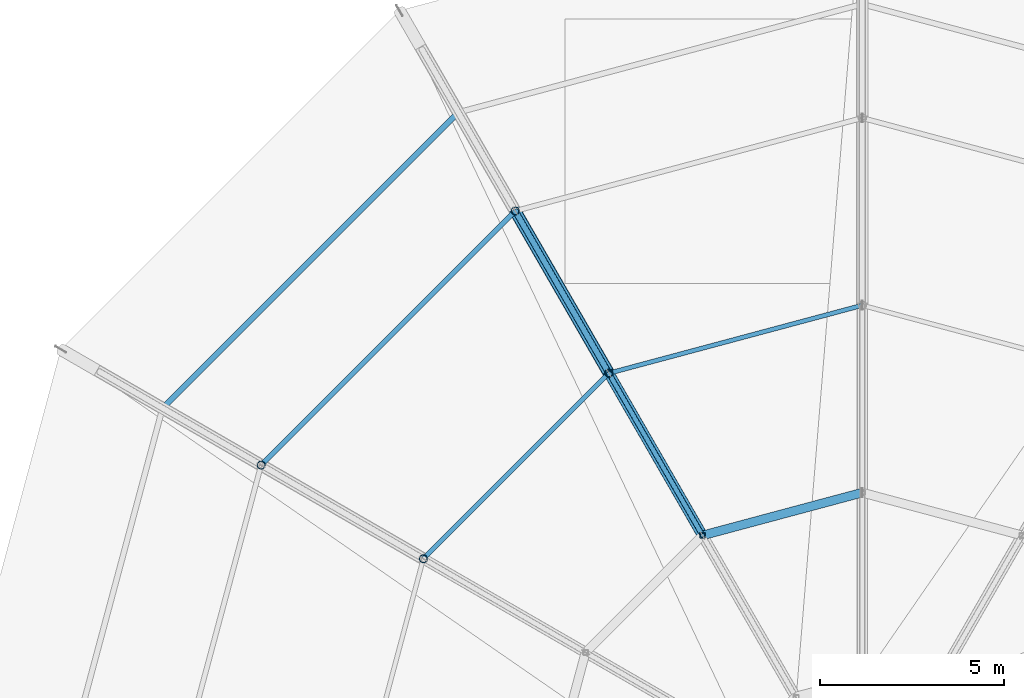
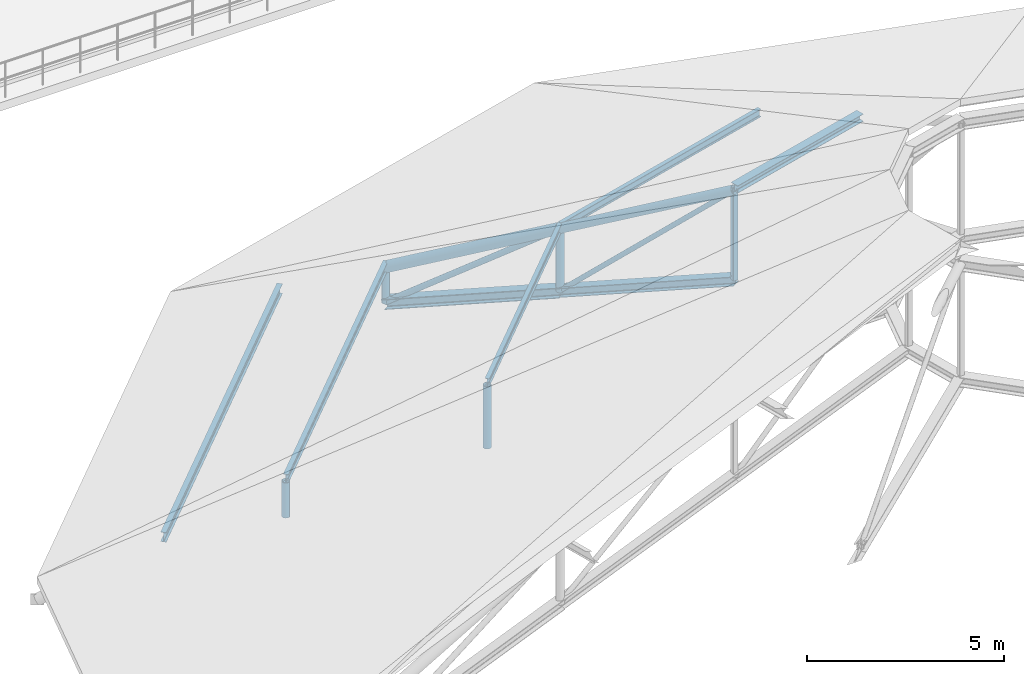
# One storey, part 23 of 58: 16 members.
"""IFC4 building model written with IfcOpenShell, lengths in metres."""

from ifc_helpers import new_model, si_unit, derived_unit, direction, frame, origin, origin_2d, place, context, subcontext, project, spatial, hollow_rectangle, hollow_circle, i_section, extrude, material, material_profile, profile_set, type_object, element, save


model = new_model("IFC4")

# Units and contexts
model_context = context("Model", 3, precision=1e-05, world=origin(), true_north=direction((0.0, 1.0)))
body_context = subcontext(model_context, "Body", "Model", "MODEL_VIEW")
ifc_project = project(units=[si_unit("LENGTHUNIT", "METRE"), si_unit("AREAUNIT", "SQUARE_METRE"), si_unit("VOLUMEUNIT", "CUBIC_METRE"), si_unit("PLANEANGLEUNIT", "RADIAN"), si_unit("MASSUNIT", "GRAM", prefix="KILO"), derived_unit("THERMALTRANSMITTANCEUNIT", [(si_unit("POWERUNIT", "WATT"), 1), (si_unit("AREAUNIT", "SQUARE_METRE"), -1), (si_unit("THERMODYNAMICTEMPERATUREUNIT", "KELVIN"), -1)])], contexts=[model_context])

# Site, building, storey
site_placement = place(None, origin())
site = spatial("IfcSite", under=ifc_project, at=site_placement, CompositionType="ELEMENT")
building_placement = place(site_placement, origin())
building = spatial("IfcBuilding", under=site, at=building_placement, Name="Yasenodar Specialist Clinic", CompositionType="ELEMENT")
storey_placement = place(building_placement, frame((0.0, 0.0, 21.300048828125)))
storey = spatial("IfcBuildingStorey", under=building, at=storey_placement, Name="L05", CompositionType="ELEMENT", Elevation=21.300048828125)

# Members
ifc_material = material(Name="Steel S355", Category="steel")
ifc_material_profile_1 = material_profile(ifc_material, i_section(OverallWidth=0.239990234375, OverallDepth=0.22998046875, WebThickness=0.007568359375, FlangeThickness=0.011962890625, FilletRadius=0.02099609375, at=origin_2d()), Name="HEA 240")
ifc_profile_set_1 = profile_set([ifc_material_profile_1], Name="Steel S355")
member_type_1 = type_object("IfcMemberType", Name="PR-HEA240", PredefinedType="PURLIN", material=ifc_profile_set_1)
member_1_placement = place(storey_placement, frame((81.0, 67.5, 8.98486328125), z_axis=(-0.965930145555, -0.258802924845, 0.0), x_axis=(0.258802924845, -0.965930145555, 0.0)))
element("IfcMember", 1, at=member_1_placement, inside=storey, type_object=member_type_1, Name="Drum Roof Concentric Purlin 4.04", PredefinedType="PURLIN", context=body_context, shape_type="SweptSolid", body=[
    extrude(i_section(OverallWidth=0.239990234375, OverallDepth=0.22998046875, WebThickness=0.007568359375, FlangeThickness=0.011962890625, FilletRadius=0.02099609375, at=origin_2d()), origin(), (0.0, 0.0, 1.0), 4.50341796875),
])
ifc_material_profile_2 = material_profile(ifc_material, i_section(OverallWidth=0.1201171875, OverallDepth=0.239990234375, WebThickness=0.006103515625, FlangeThickness=0.009765625, FilletRadius=0.014892578125, at=origin_2d()), Name="IPE 240")
ifc_profile_set_2 = profile_set([ifc_material_profile_2], Name="Steel S355")
member_type_2 = type_object("IfcMemberType", Name="PR-IPE240", PredefinedType="PURLIN", material=ifc_profile_set_2)
member_2_placement = place(storey_placement, frame((81.0, 72.60009765625, 6.010009765625), z_axis=(-0.965923947156, -0.258826058022, 0.0), x_axis=(0.258826058022, -0.965923947156, 0.0)))
element("IfcMember", 2, at=member_2_placement, inside=storey, type_object=member_type_2, Name="Drum Roof Concentric Purlin 3.04", PredefinedType="PURLIN", context=body_context, shape_type="SweptSolid", body=[
    extrude(i_section(OverallWidth=0.1201171875, OverallDepth=0.239990234375, WebThickness=0.006103515625, FlangeThickness=0.009765625, FilletRadius=0.014892578125, at=origin_2d()), origin(), (0.0, 0.0, 1.0), 7.143310546875),
])
member_3_placement = place(storey_placement, frame((74.10009765625, 70.751220703125, 6.010009765625), z_axis=(-0.707106781187, -0.707106781187, 0.0), x_axis=(0.707106781187, -0.707106781187, 0.0)))
element("IfcMember", 3, at=member_3_placement, inside=storey, type_object=member_type_2, Name="Drum Roof Concentric Purlin 3.05", PredefinedType="PURLIN", context=body_context, shape_type="SweptSolid", body=[
    extrude(i_section(OverallWidth=0.1201171875, OverallDepth=0.239990234375, WebThickness=0.006103515625, FlangeThickness=0.009765625, FilletRadius=0.014892578125, at=origin_2d()), origin(), (0.0, 0.0, 1.0), 7.1435546875),
])
ifc_material_profile_3 = material_profile(ifc_material, i_section(OverallWidth=0.135009765625, OverallDepth=0.27001953125, WebThickness=0.006591796875, FlangeThickness=0.01025390625, FilletRadius=0.014892578125, at=origin_2d()), Name="IPE 270")
ifc_profile_set_3 = profile_set([ifc_material_profile_3], Name="Steel S355")
member_type_3 = type_object("IfcMemberType", Name="PR-IPE270", PredefinedType="PURLIN", material=ifc_profile_set_3)
member_4_placement = place(storey_placement, frame((71.550048828125, 75.16796875, 3.034912109375), z_axis=(-0.707106781187, -0.707106781187, 0.0), x_axis=(0.707106781187, -0.707106781187, 0.0)))
element("IfcMember", 4, at=member_4_placement, inside=storey, type_object=member_type_3, Name="Drum Roof Concentric Purlin 2.05", PredefinedType="PURLIN", context=body_context, shape_type="SweptSolid", body=[
    extrude(i_section(OverallWidth=0.135009765625, OverallDepth=0.27001953125, WebThickness=0.006591796875, FlangeThickness=0.01025390625, FilletRadius=0.014892578125, at=origin_2d()), origin(), (0.0, 0.0, 1.0), 9.783447265625),
])
ifc_material_profile_4 = material_profile(ifc_material, i_section(OverallWidth=0.14990234375, OverallDepth=0.300048828125, WebThickness=0.007080078125, FlangeThickness=0.0107421875, FilletRadius=0.014892578125, at=origin_2d()), Name="IPE 300")
ifc_profile_set_4 = profile_set([ifc_material_profile_4], Name="Steel S355")
member_type_4 = type_object("IfcMemberType", Name="PR-IPE300", PredefinedType="PURLIN", material=ifc_profile_set_4)
member_5_placement = place(storey_placement, frame((70.0, 77.8525390625, 1.2265625), z_axis=(-0.707106781187, -0.707106781187, 0.0), x_axis=(0.707106781187, -0.707106781187, 0.0)))
element("IfcMember", 5, at=member_5_placement, inside=storey, type_object=member_type_4, Name="Drum Roof Concentric Purlin 1.05", PredefinedType="PURLIN", context=body_context, shape_type="SweptSolid", body=[
    extrude(i_section(OverallWidth=0.14990234375, OverallDepth=0.300048828125, WebThickness=0.007080078125, FlangeThickness=0.0107421875, FilletRadius=0.014892578125, at=origin_2d()), origin(), (0.0, 0.0, 1.0), 11.387939453125),
])
ifc_material_profile_5 = material_profile(ifc_material, hollow_circle(Radius=0.06982421875, WallThickness=0.00634765625, at=origin_2d()), Name="CHS 139.7x6.3")
ifc_profile_set_5 = profile_set([ifc_material_profile_5], Name="Steel S355")
member_type_5 = type_object("IfcMemberType", Name="TR-BRC-CHS139", PredefinedType="BRACE", material=ifc_profile_set_5)
member_6_placement = place(storey_placement, frame((74.10009765625, 70.751220703125, 4.02490234375), z_axis=(0.360522566873, -0.624493848841, 0.692842631147), x_axis=(0.866042892689, 0.499969707105, 0.0)))
element("IfcMember", 6, at=member_6_placement, inside=storey, type_object=member_type_5, Name="Drum Roof Truss 05 Web Diagonal 3", PredefinedType="BRACE", context=body_context, shape_type="SweptSolid", body=[
    extrude(hollow_circle(Radius=0.06982421875, WallThickness=0.00634765625, at=origin_2d()), origin(), (0.0, 0.0, 1.0), 7.072509765625),
])
ifc_material_profile_6 = material_profile(ifc_material, hollow_circle(Radius=0.084228515625, WallThickness=0.008056640625, at=origin_2d()), Name="CHS 168.3x8")
ifc_profile_set_6 = profile_set([ifc_material_profile_6], Name="Steel S355")
member_type_6 = type_object("IfcMemberType", Name="TR-BRC-CHS168", PredefinedType="BRACE", material=ifc_profile_set_6)
member_7_placement = place(storey_placement, frame((71.550048828125, 75.16796875, 1.887451171875), z_axis=(0.391093758466, -0.677384124883, 0.623054106354), x_axis=(0.86602216432, 0.500005610874, 0.0)))
element("IfcMember", 7, at=member_7_placement, inside=storey, type_object=member_type_6, Name="Drum Roof Truss 05 Web Diagonal 2", PredefinedType="BRACE", context=body_context, shape_type="SweptSolid", body=[
    extrude(hollow_circle(Radius=0.084228515625, WallThickness=0.008056640625, at=origin_2d()), origin(), (0.0, 0.0, 1.0), 6.520263671875),
])
ifc_material_profile_7 = material_profile(ifc_material, hollow_circle(Radius=0.136474609375, WallThickness=0.012451171875, at=origin_2d()), Name="CHS 273x12.5")
ifc_profile_set_7 = profile_set([ifc_material_profile_7], Name="Steel S355")
member_type_7 = type_object("IfcMemberType", Name="TR-CHD-CHS273", PredefinedType="CHORD", material=ifc_profile_set_7)
member_8_placement = place(storey_placement, frame((74.10009765625, 70.751220703125, 5.949951171875), z_axis=(0.431857929617, -0.748060303017, 0.503889384366), x_axis=(0.866042892689, 0.499969707105, 0.0)))
element("IfcMember", 8, at=member_8_placement, inside=storey, type_object=member_type_7, Name="Drum Roof Truss 05 Top Chord 3", PredefinedType="CHORD", context=body_context, shape_type="SweptSolid", body=[
    extrude(hollow_circle(Radius=0.136474609375, WallThickness=0.012451171875, at=origin_2d()), origin(), (0.0, 0.0, 1.0), 5.904296875),
])
ifc_material_profile_8 = material_profile(ifc_material, hollow_circle(Radius=0.161865234375, WallThickness=0.01611328125, at=origin_2d()), Name="CHS 323.9x16")
ifc_profile_set_8 = profile_set([ifc_material_profile_8], Name="Steel S355")
member_type_8 = type_object("IfcMemberType", Name="TR-CHD-CHS324", PredefinedType="CHORD", material=ifc_profile_set_8)
member_9_placement = place(storey_placement, frame((71.550048828125, 75.16796875, 2.974853515625), z_axis=(0.431891566774, -0.748046944425, 0.50388038609), x_axis=(0.86602216432, 0.500005610874, 0.0)))
element("IfcMember", 9, at=member_9_placement, inside=storey, type_object=member_type_8, Name="Drum Roof Truss 05 Top Chord 2", PredefinedType="CHORD", context=body_context, shape_type="SweptSolid", body=[
    extrude(hollow_circle(Radius=0.161865234375, WallThickness=0.01611328125, at=origin_2d()), origin(), (0.0, 0.0, 1.0), 5.904296875),
])
ifc_material_profile_9 = material_profile(ifc_material, i_section(OverallWidth=0.280029296875, OverallDepth=0.27001953125, WebThickness=0.008056640625, FlangeThickness=0.012939453125, FilletRadius=0.02392578125, at=origin_2d()), Name="HEA 280")
ifc_profile_set_9 = profile_set([ifc_material_profile_9], Name="Steel S355")
member_type_9 = type_object("IfcMemberType", Name="TR-CHD-HEA280", PredefinedType="CHORD", material=ifc_profile_set_9)
member_10_placement = place(storey_placement, frame((74.10009765625, 70.751220703125, 4.02490234375), z_axis=(0.461108722296, -0.798728254984, 0.3865383822), x_axis=(0.866042892689, 0.499969707105, 0.0)))
element("IfcMember", 10, at=member_10_placement, inside=storey, type_object=member_type_9, Name="Drum Roof Truss 05 Bottom Chord 3", PredefinedType="CHORD", context=body_context, shape_type="SweptSolid", body=[
    extrude(i_section(OverallWidth=0.280029296875, OverallDepth=0.27001953125, WebThickness=0.008056640625, FlangeThickness=0.012939453125, FilletRadius=0.02392578125, at=origin_2d()), origin(), (0.0, 0.0, 1.0), 5.52978515625),
])
ifc_material_profile_10 = material_profile(ifc_material, i_section(OverallWidth=0.300048828125, OverallDepth=0.300048828125, WebThickness=0.010986328125, FlangeThickness=0.01904296875, FilletRadius=0.027099609375, at=origin_2d()), Name="HEB 300")
ifc_profile_set_10 = profile_set([ifc_material_profile_10], Name="Steel S355")
member_type_10 = type_object("IfcMemberType", Name="TR-CHD-HEB300", PredefinedType="CHORD", material=ifc_profile_set_10)
member_11_placement = place(storey_placement, frame((71.550048828125, 75.16796875, 1.887451171875), z_axis=(0.461143484467, -0.798711994016, 0.38653051283), x_axis=(0.86602216432, 0.500005610874, 0.0)))
element("IfcMember", 11, at=member_11_placement, inside=storey, type_object=member_type_10, Name="Drum Roof Truss 05 Bottom Chord 2", PredefinedType="CHORD", context=body_context, shape_type="SweptSolid", body=[
    extrude(i_section(OverallWidth=0.300048828125, OverallDepth=0.300048828125, WebThickness=0.010986328125, FlangeThickness=0.01904296875, FilletRadius=0.027099609375, at=origin_2d()), origin(), (0.0, 0.0, 1.0), 5.52978515625),
])
ifc_material_profile_11 = material_profile(ifc_material, hollow_circle(Radius=0.109619140625, WallThickness=0.010009765625, at=origin_2d()), Name="CHS 219.1x10")
ifc_profile_set_11 = profile_set([ifc_material_profile_11], Name="Steel S355")
member_type_11 = type_object("IfcMemberType", Name="TR-STR-CHS219", PredefinedType="STRUT", material=ifc_profile_set_11)
member_12_placement = place(storey_placement, frame((71.550048828125, 75.16796875, 1.887451171875), z_axis=(0.0, 0.0, 1.0), x_axis=(1.0, 0.0, 0.0)))
element("IfcMember", 12, at=member_12_placement, inside=storey, type_object=member_type_11, Name="Drum Roof Truss 05 Strut 1", PredefinedType="STRUT", context=body_context, shape_type="SweptSolid", body=[
    extrude(hollow_circle(Radius=0.109619140625, WallThickness=0.010009765625, at=origin_2d()), origin(), (0.0, 0.0, 1.0), 1.08740234375),
])
member_13_placement = place(storey_placement, frame((74.10009765625, 70.751220703125, 4.02490234375), z_axis=(0.0, 0.0, 1.0), x_axis=(1.0, 0.0, 0.0)))
element("IfcMember", 13, at=member_13_placement, inside=storey, type_object=member_type_11, Name="Drum Roof Truss 05 Strut 2", PredefinedType="STRUT", context=body_context, shape_type="SweptSolid", body=[
    extrude(hollow_circle(Radius=0.109619140625, WallThickness=0.010009765625, at=origin_2d()), origin(), (0.0, 0.0, 1.0), 1.925048828125),
])
member_14_placement = place(storey_placement, frame((64.632080078125, 68.25, 1.887451171875), z_axis=(0.0, 0.0, 1.0), x_axis=(1.0, 0.0, 0.0)))
element("IfcMember", 14, at=member_14_placement, inside=storey, type_object=member_type_11, Name="Drum Roof Truss 06 Strut 1", PredefinedType="STRUT", context=body_context, shape_type="SweptSolid", body=[
    extrude(hollow_circle(Radius=0.109619140625, WallThickness=0.010009765625, at=origin_2d()), origin(), (0.0, 0.0, 1.0), 1.08740234375),
])
member_15_placement = place(storey_placement, frame((69.048828125, 65.699951171875, 4.02490234375), z_axis=(0.0, 0.0, 1.0), x_axis=(1.0, 0.0, 0.0)))
element("IfcMember", 15, at=member_15_placement, inside=storey, type_object=member_type_11, Name="Drum Roof Truss 06 Strut 2", PredefinedType="STRUT", context=body_context, shape_type="SweptSolid", body=[
    extrude(hollow_circle(Radius=0.109619140625, WallThickness=0.010009765625, at=origin_2d()), origin(), (0.0, 0.0, 1.0), 1.925048828125),
])
ifc_material_profile_12 = material_profile(ifc_material, hollow_rectangle(XDim=0.14990234375, YDim=0.14990234375, WallThickness=0.008056640625, InnerFilletRadius=0.011962890625, OuterFilletRadius=0.02001953125, at=origin_2d()), Name="SHS 150x150x8")
ifc_profile_set_12 = profile_set([ifc_material_profile_12], Name="Steel S355")
member_type_12 = type_object("IfcMemberType", Name="TR-STR-SHS150", PredefinedType="STRUT", material=ifc_profile_set_12)
member_16_placement = place(storey_placement, frame((76.64990234375, 66.33447265625, 6.162353515625), z_axis=(0.0, 0.0, 1.0), x_axis=(1.0, 0.0, 0.0)))
element("IfcMember", 16, at=member_16_placement, inside=storey, type_object=member_type_12, Name="Drum Roof Truss 05 Strut 3", PredefinedType="STRUT", context=body_context, shape_type="SweptSolid", body=[
    extrude(hollow_rectangle(XDim=0.14990234375, YDim=0.14990234375, WallThickness=0.008056640625, InnerFilletRadius=0.011962890625, OuterFilletRadius=0.02001953125, at=origin_2d()), origin(), (0.0, 0.0, 1.0), 2.7626953125),
])

save(model, "model.ifc")
